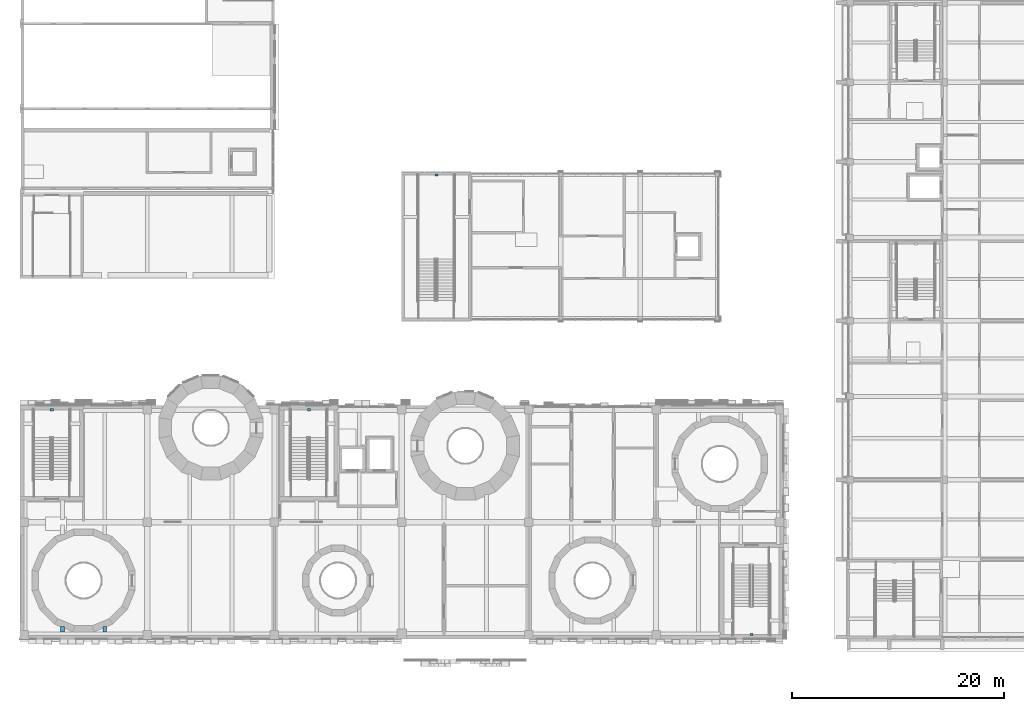
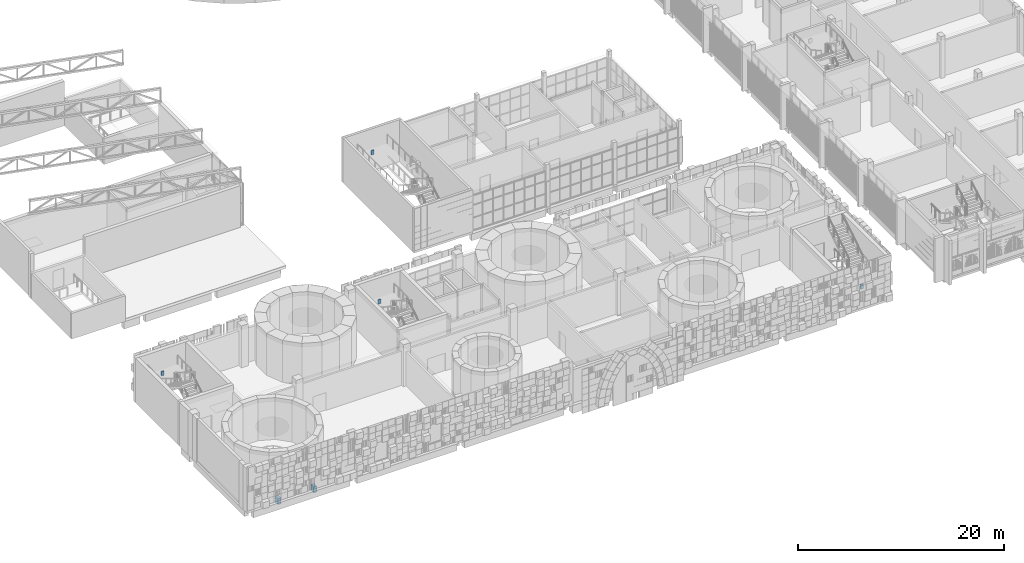
# One storey, part 53 of 125: 6 beams.
"""IFC4 building model written with IfcOpenShell, lengths in metres."""

from ifc_helpers import new_model, si_unit, direction, frame, origin, origin_2d, place, context, subcontext, project, spatial, rectangle, extrude, material, material_profile, profile_set, type_object, element, save


model = new_model("IFC4")

# Units and contexts
model_context = context("Model", 3, precision=1e-05, world=origin(), true_north=direction((0.0, 1.0)))
body_context = subcontext(model_context, "Body", "Model", "MODEL_VIEW")
ifc_project = project(units=[si_unit("LENGTHUNIT", "METRE"), si_unit("AREAUNIT", "SQUARE_METRE"), si_unit("VOLUMEUNIT", "CUBIC_METRE"), si_unit("PLANEANGLEUNIT", "RADIAN"), si_unit("MASSUNIT", "GRAM", prefix="KILO")], contexts=[model_context])

# Site, building, storey
site_placement = place(None, origin())
site = spatial("IfcSite", under=ifc_project, at=site_placement, CompositionType="ELEMENT")
building_placement = place(site_placement, origin())
building = spatial("IfcBuilding", under=site, at=building_placement, Name="Sun Court Science Centre", CompositionType="ELEMENT")
storey_placement = place(building_placement, frame((0.0, 0.0, 6.0)))
storey = spatial("IfcBuildingStorey", under=building, at=storey_placement, Name="L01", CompositionType="ELEMENT", Elevation=6.0)

# Beams
ifc_material_1 = material(Name="Concrete C25/30", Category="concrete")
ifc_material_profile_1 = material_profile(ifc_material_1, rectangle(XDim=0.35009765625, YDim=0.699951171875, at=origin_2d()), Name="RC 350x700")
ifc_profile_set_1 = profile_set([ifc_material_profile_1], Name="Concrete C25/30")
beam_type_1 = type_object("IfcBeamType", Name="RC joist 350x700", PredefinedType="JOIST", material=ifc_profile_set_1)
for number, where, z_axis, x_axis, name in (
    (1, (4.0, 6.64990234375, -0.64990234375), (0.0, 1.0, 0.0), (-1.0, 0.0, 0.0), "Joist L01"),
    (2, (8.0, 6.64990234375, -0.64990234375), (0.0, 1.0, 0.0), (-1.0, 0.0, 0.0), "Joist L01"),
):
    element("IfcBeam", number, at=place(storey_placement, frame(where, z_axis=z_axis, x_axis=x_axis)), inside=storey, type_object=beam_type_1, Name=name, PredefinedType="JOIST", context=body_context, shape_type="SweptSolid", body=[
        extrude(rectangle(XDim=0.35009765625, YDim=0.699951171875, at=origin_2d()), origin(), (0.0, 0.0, 1.0), 0.531982421875),
    ])
ifc_material_2 = material(Name="Concrete C25/30", Category="concrete")
ifc_material_profile_2 = material_profile(ifc_material_2, rectangle(XDim=0.300048828125, YDim=0.5, at=origin_2d()), Name="RC 300x500")
ifc_profile_set_2 = profile_set([ifc_material_profile_2], Name="Concrete C25/30")
beam_type_2 = type_object("IfcBeamType", Name="RC landing trimmer 300x500", PredefinedType="BEAM", material=ifc_profile_set_2)
for number, where, z_axis, x_axis, name in (
    (3, (3.0, 27.699951171875, 2.175048828125), (0.0, -1.0, 0.0), (1.0, 0.0, 0.0), "SB1 landing 1 trimmer beam 6"),
    (4, (27.25, 27.699951171875, 2.175048828125), (0.0, -1.0, 0.0), (1.0, 0.0, 0.0), "SB2 landing 1 trimmer beam 6"),
    (5, (69.0, 6.300048828125, 2.175048828125), (0.0, 1.0, 0.0), (-1.0, 0.0, 0.0), "SB3 landing 1 trimmer beam 6"),
):
    element("IfcBeam", number, at=place(storey_placement, frame(where, z_axis=z_axis, x_axis=x_axis)), inside=storey, type_object=beam_type_2, Name=name, PredefinedType="BEAM", context=body_context, shape_type="SweptSolid", body=[
        extrude(rectangle(XDim=0.300048828125, YDim=0.5, at=origin_2d()), origin(), (0.0, 0.0, 1.0), 0.18994140625),
    ])
beam_placement = place(storey_placement, frame((39.27490234375, 49.85009765625, 2.175048828125), z_axis=(0.0, -1.0, 0.0), x_axis=(1.0, 0.0, 0.0)))
element("IfcBeam", 6, at=beam_placement, inside=storey, type_object=beam_type_2, Name="SP1 landing 1 trimmer beam 6", PredefinedType="BEAM", context=body_context, shape_type="SweptSolid", body=[
    extrude(rectangle(XDim=0.300048828125, YDim=0.5, at=origin_2d()), origin(), (0.0, 0.0, 1.0), 0.190185546875),
])

save(model, "model.ifc")
